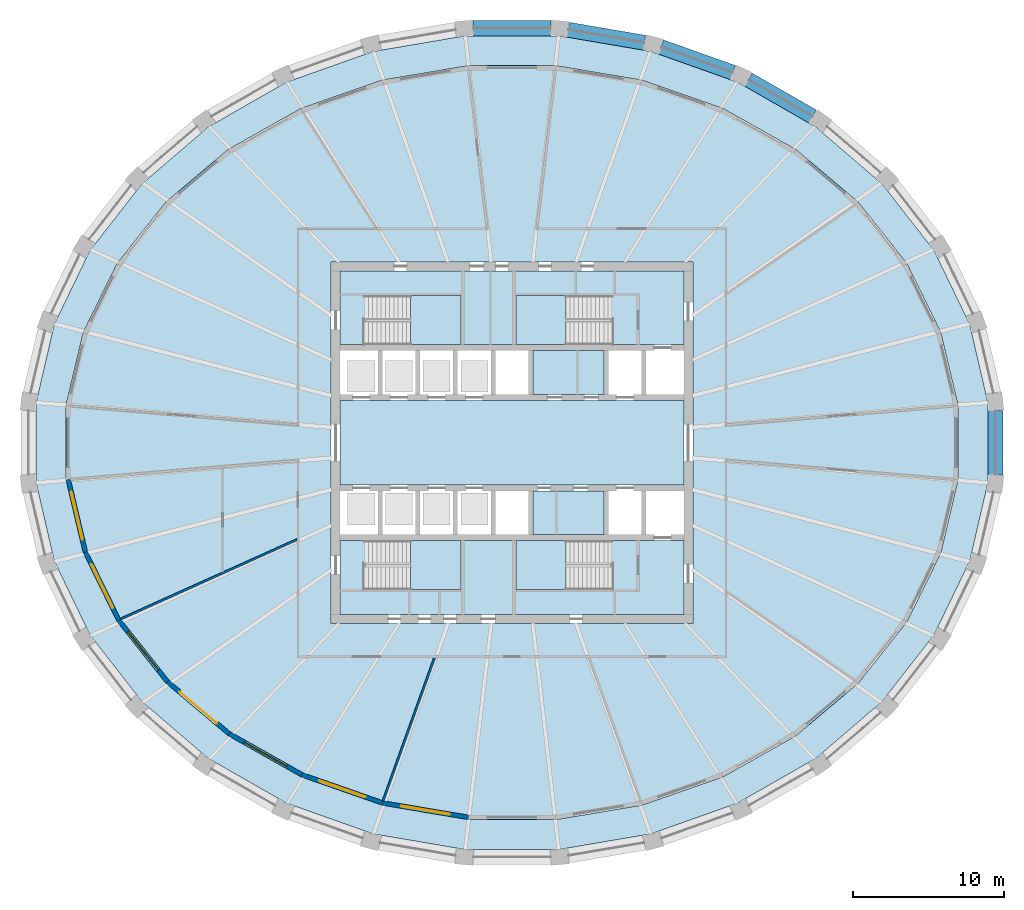
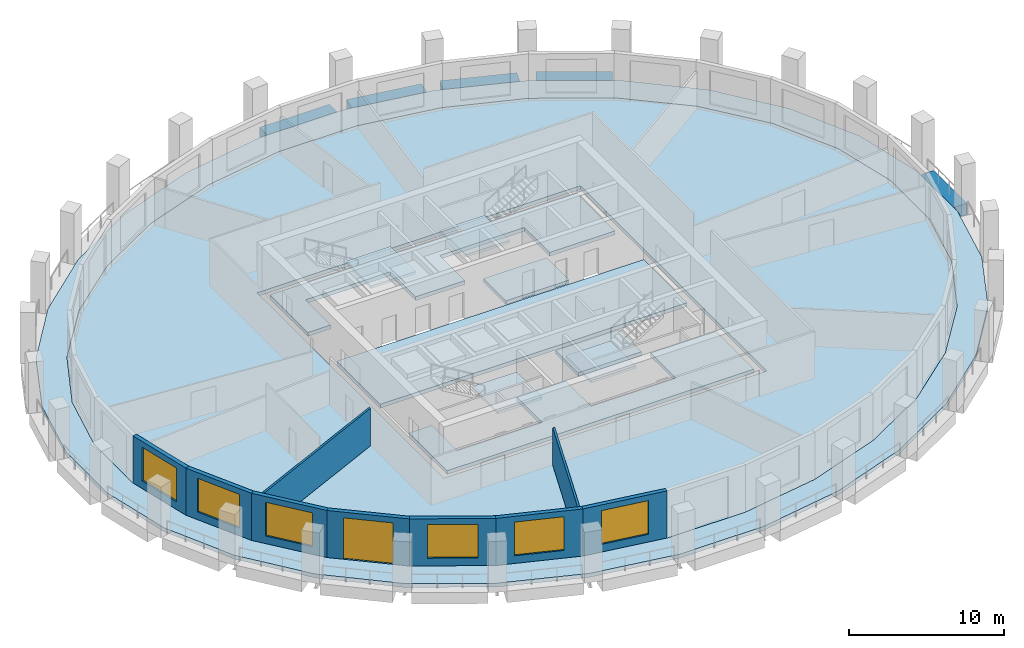
# One storey, part 2 of 10: 11 slabs, 9 walls, 6 windows, 5 beams, 1 door, 7 openings, 4 elements without a shape of their own.
"""IFC4 building model written with IfcOpenShell, lengths in metres."""

from ifc_helpers import new_model, si_unit, direction, frame, frame_2d, origin, origin_2d, place, context, subcontext, project, spatial, polyline, rectangle, outline, extrude, material, layer, layer_set, material_profile, profile_set, type_object, element, fill, aggregate, save


model = new_model("IFC4")

# Units and contexts
model_context = context("Model", 3, precision=1e-05, world=origin(), true_north=direction((0.0, 1.0)))
body_context = subcontext(model_context, "Body", "Model", "MODEL_VIEW")
ifc_project = project(units=[si_unit("LENGTHUNIT", "METRE"), si_unit("AREAUNIT", "SQUARE_METRE"), si_unit("VOLUMEUNIT", "CUBIC_METRE"), si_unit("PLANEANGLEUNIT", "RADIAN"), si_unit("MASSUNIT", "GRAM", prefix="KILO")], contexts=[model_context])

# Site, building, storey
site_placement = place(None, origin())
site = spatial("IfcSite", under=ifc_project, at=site_placement, CompositionType="ELEMENT")
building_placement = place(site_placement, origin())
building = spatial("IfcBuilding", under=site, at=building_placement, Name="Halqa Exchange Tower", CompositionType="ELEMENT")
storey_placement = place(building_placement, frame((0.0, 0.0, 206.89990234375)))
storey = spatial("IfcBuildingStorey", under=building, at=storey_placement, Name="L47", CompositionType="ELEMENT", Elevation=206.89990234375)

# Beams
ifc_material_1 = material(Name="Concrete C60/75", Category="concrete")
ifc_material_profile = material_profile(ifc_material_1, rectangle(XDim=1.0, YDim=0.89990234375, at=origin_2d()), Name="1000 x 900")
ifc_profile_set = profile_set([ifc_material_profile], Name="Concrete C60/75")
beam_type = type_object("IfcBeamType", Name="RC spandrel beam 1000 x 900 C60/75", PredefinedType="SPANDREL", material=ifc_profile_set)
beam_1_placement = place(storey_placement, frame((19.951416015625, 21.6455078125, -0.449951171875), z_axis=(-0.867758828844, 0.496985527921, 0.0), x_axis=(-0.496985527921, -0.867758828844, 0.0)))
element("IfcBeam", 1, at=beam_1_placement, inside=storey, type_object=beam_type, Name="Spandrel 5", PredefinedType="SPANDREL", context=body_context, shape_type="SweptSolid", body=[
    extrude(rectangle(XDim=1.0, YDim=0.89990234375, at=origin_2d()), origin(), (0.0, 0.0, 1.0), 4.905517578125),
])
beam_2_placement = place(storey_placement, frame((14.656005859375, 24.560546875, -0.449951171875), z_axis=(-0.942356423525, 0.334610775442, 0.0), x_axis=(-0.334610775442, -0.942356423525, 0.0)))
element("IfcBeam", 2, at=beam_2_placement, inside=storey, type_object=beam_type, Name="Spandrel 6", PredefinedType="SPANDREL", context=body_context, shape_type="SweptSolid", body=[
    extrude(rectangle(XDim=1.0, YDim=0.89990234375, at=origin_2d()), origin(), (0.0, 0.0, 1.0), 5.047607421875),
])
beam_3_placement = place(storey_placement, frame((8.7919921875, 26.5380859375, -0.449951171875), z_axis=(-0.985769464363, 0.168102834982, 0.0), x_axis=(-0.168102834982, -0.985769464363, 0.0)))
element("IfcBeam", 3, at=beam_3_placement, inside=storey, type_object=beam_type, Name="Spandrel 7", PredefinedType="SPANDREL", context=body_context, shape_type="SweptSolid", body=[
    extrude(rectangle(XDim=1.0, YDim=0.89990234375, at=origin_2d()), origin(), (0.0, 0.0, 1.0), 5.139892578125),
])
beam_4_placement = place(storey_placement, frame((2.586181640625, 27.498291015625, -0.449951171875), z_axis=(-1.0, 0.0, 0.0), x_axis=(0.0, -1.0, 0.0)))
element("IfcBeam", 4, at=beam_4_placement, inside=storey, type_object=beam_type, Name="Spandrel 8", PredefinedType="SPANDREL", context=body_context, shape_type="SweptSolid", body=[
    extrude(rectangle(XDim=1.0, YDim=0.89990234375, at=origin_2d()), origin(), (0.0, 0.0, 1.0), 5.17236328125),
])
beam_5_placement = place(storey_placement, frame((32.08154296875, -2.131591796875, -0.449951171875), z_axis=(0.0, 1.0, 0.0), x_axis=(-1.0, 0.0, 0.0)))
element("IfcBeam", 5, at=beam_5_placement, inside=storey, type_object=beam_type, Name="Spandrel 32", PredefinedType="SPANDREL", context=body_context, shape_type="SweptSolid", body=[
    extrude(rectangle(XDim=1.0, YDim=0.89990234375, at=origin_2d()), origin(), (0.0, 0.0, 1.0), 4.26318359375),
])

# Slabs
ifc_layer_1 = layer(ifc_material_1, 0.300048828125)
ifc_layer_set_1 = layer_set([ifc_layer_1], Name="Concrete C60/75")
slab_type_1 = type_object("IfcSlabType", Name="Core floor slab 300", PredefinedType="FLOOR", material=ifc_layer_set_1)
slab_1_placement = place(storey_placement, frame((0.0, 0.0, -0.2998046875)))
element("IfcSlab", 6, at=slab_1_placement, inside=storey, type_object=slab_type_1, Name="Core floor slab", PredefinedType="FLOOR", context=body_context, shape_type="SweptSolid", body=[
    extrude(outline(polyline([(-11.39990234375, 2.800048828125), (11.39990234375, 2.800048828125), (11.39990234375, -2.800048828125), (-11.39990234375, -2.800048828125), (-11.39990234375, 2.800048828125)])), origin(), (0.0, 0.0, 1.0), 0.2998046875),
])
slab_2_placement = place(storey_placement, frame((0.0, 0.0, -0.2998046875)))
element("IfcSlab", 7, at=slab_2_placement, inside=storey, type_object=slab_type_1, Name="Core floor slab", PredefinedType="FLOOR", context=body_context, shape_type="SweptSolid", body=[
    extrude(outline(polyline([(-11.39990234375, 11.39990234375), (11.39990234375, 11.39990234375), (11.39990234375, 6.5), (6.550048828125, 6.5), (6.550048828125, 9.75), (0.25, 9.75), (0.25, 6.5), (-3.39990234375, 6.5), (-3.39990234375, 9.75), (-9.699951171875, 9.75), (-9.699951171875, 6.5), (-11.39990234375, 6.5), (-11.39990234375, 11.39990234375)])), origin(), (0.0, 0.0, 1.0), 0.2998046875),
])
slab_3_placement = place(storey_placement, frame((0.0, 0.0, -0.2998046875)))
element("IfcSlab", 8, at=slab_3_placement, inside=storey, type_object=slab_type_1, Name="Core floor slab", PredefinedType="FLOOR", context=body_context, shape_type="SweptSolid", body=[
    extrude(outline(polyline([(-9.699951171875, -9.75), (-3.39990234375, -9.75), (-3.39990234375, -6.5), (0.25, -6.5), (0.25, -9.75), (6.550048828125, -9.75), (6.550048828125, -6.5), (11.39990234375, -6.5), (11.39990234375, -11.39990234375), (-11.39990234375, -11.39990234375), (-11.39990234375, -6.5), (-9.699951171875, -6.5), (-9.699951171875, -9.75)])), origin(), (0.0, 0.0, 1.0), 0.2998046875),
])
slab_4_placement = place(storey_placement, frame((0.0, 0.0, -0.2998046875)))
element("IfcSlab", 9, at=slab_4_placement, inside=storey, type_object=slab_type_1, Name="Core floor slab", PredefinedType="FLOOR", context=body_context, shape_type="SweptSolid", body=[
    extrude(outline(polyline([(6.10009765625, -3.199951171875), (6.10009765625, -6.10009765625), (1.39990234375, -6.10009765625), (1.39990234375, -3.199951171875), (6.10009765625, -3.199951171875)])), origin(), (0.0, 0.0, 1.0), 0.2998046875),
])
slab_5_placement = place(storey_placement, frame((0.0, 0.0, -0.2998046875)))
element("IfcSlab", 10, at=slab_5_placement, inside=storey, type_object=slab_type_1, Name="Core floor slab", PredefinedType="FLOOR", context=body_context, shape_type="SweptSolid", body=[
    extrude(outline(polyline([(6.10009765625, 6.10009765625), (6.10009765625, 3.199951171875), (1.39990234375, 3.199951171875), (1.39990234375, 6.10009765625), (6.10009765625, 6.10009765625)])), origin(), (0.0, 0.0, 1.0), 0.2998046875),
])
ifc_material_2 = material(Name="Concrete C40/50", Category="concrete")
ifc_layer_2 = layer(ifc_material_2, 0.300048828125)
ifc_layer_set_2 = layer_set([ifc_layer_2], Name="Concrete C40/50")
slab_type_2 = type_object("IfcSlabType", Name="RC floor slab 300", PredefinedType="FLOOR", material=ifc_layer_set_2)
slab_6_placement = place(storey_placement, frame((0.0, 0.0, -0.2998046875)))
element("IfcSlab", 11, at=slab_6_placement, inside=storey, type_object=slab_type_2, Name="Floor slab", PredefinedType="FLOOR", context=body_context, shape_type="SweptSolid", body=[
    extrude(outline(polyline([(29.59521484375, 2.46875), (28.45361328125, 7.31005859375), (26.216064453125, 11.86669921875), (22.971435546875, 15.962890625), (18.846435546875, 19.4423828125), (14.00048828125, 22.173828125), (8.619873046875, 24.053955078125), (2.910400390625, 25.011962890625), (-2.910400390625, 25.011962890625), (-8.619873046875, 24.053955078125), (-14.00048828125, 22.173828125), (-18.846435546875, 19.4423828125), (-22.971435546875, 15.962890625), (-26.216064453125, 11.86669921875), (-28.45361328125, 7.31005859375), (-29.59521484375, 2.46875), (-29.59521484375, -2.46875), (-28.45361328125, -7.31005859375), (-26.216064453125, -11.86669921875), (-22.971435546875, -15.962890625), (-18.846435546875, -19.4423828125), (-14.00048828125, -22.173828125), (-8.619873046875, -24.053955078125), (-2.910400390625, -25.011962890625), (2.910400390625, -25.011962890625), (8.619873046875, -24.053955078125), (14.00048828125, -22.173828125), (18.846435546875, -19.4423828125), (22.971435546875, -15.962890625), (26.216064453125, -11.86669921875), (28.45361328125, -7.31005859375), (29.59521484375, -2.46875), (29.59521484375, 2.46875)]), holes=[polyline([(-12.0, -12.0), (12.0, -12.0), (12.0, 12.0), (-12.0, 12.0), (-12.0, -12.0)])]), origin(), (0.0, 0.0, 1.0), 0.2998046875),
])
ifc_layer_3 = layer(ifc_material_2, 0.300048828125)
ifc_layer_set_3 = layer_set([ifc_layer_3], Name="Concrete C40/50")
slab_type_3 = type_object("IfcSlabType", Name="RC loggia slab 300", PredefinedType="FLOOR", material=ifc_layer_set_3)
slab_7_placement = place(storey_placement, frame((0.0, 0.0, -0.2998046875)))
element("IfcSlab", 12, at=slab_7_placement, inside=storey, type_object=slab_type_3, Name="Loggia slab", PredefinedType="FLOOR", context=body_context, shape_type="SweptSolid", body=[
    extrude(outline(polyline([(31.58154296875, 2.651123046875), (31.58154296875, -2.651123046875), (30.374267578125, -7.853759765625), (28.00341796875, -12.760009765625), (24.555908203125, -17.18212890625), (20.161376953125, -20.948974609375), (14.98681640625, -23.91259765625), (9.231201171875, -25.9560546875), (3.117431640625, -26.998291015625), (-3.117431640625, -26.998291015625), (-9.231201171875, -25.9560546875), (-14.98681640625, -23.91259765625), (-20.161376953125, -20.948974609375), (-24.555908203125, -17.18212890625), (-28.00341796875, -12.760009765625), (-30.374267578125, -7.853759765625), (-31.58154296875, -2.651123046875), (-31.58154296875, 2.651123046875), (-30.374267578125, 7.853759765625), (-28.00341796875, 12.760009765625), (-24.555908203125, 17.18212890625), (-20.161376953125, 20.948974609375), (-14.98681640625, 23.91259765625), (-9.231201171875, 25.9560546875), (-3.117431640625, 26.998291015625), (3.117431640625, 26.998291015625), (9.231201171875, 25.9560546875), (14.98681640625, 23.91259765625), (20.161376953125, 20.948974609375), (24.555908203125, 17.18212890625), (28.00341796875, 12.760009765625), (30.374267578125, 7.853759765625), (31.58154296875, 2.651123046875)]), holes=[polyline([(29.59521484375, 2.46875), (28.45361328125, 7.31005859375), (26.216064453125, 11.86669921875), (22.971435546875, 15.962890625), (18.846435546875, 19.4423828125), (14.00048828125, 22.173828125), (8.619873046875, 24.053955078125), (2.910400390625, 25.011962890625), (-2.910400390625, 25.011962890625), (-8.619873046875, 24.053955078125), (-14.00048828125, 22.173828125), (-18.846435546875, 19.4423828125), (-22.971435546875, 15.962890625), (-26.216064453125, 11.86669921875), (-28.45361328125, 7.31005859375), (-29.59521484375, 2.46875), (-29.59521484375, -2.46875), (-28.45361328125, -7.31005859375), (-26.216064453125, -11.86669921875), (-22.971435546875, -15.962890625), (-18.846435546875, -19.4423828125), (-14.00048828125, -22.173828125), (-8.619873046875, -24.053955078125), (-2.910400390625, -25.011962890625), (2.910400390625, -25.011962890625), (8.619873046875, -24.053955078125), (14.00048828125, -22.173828125), (18.846435546875, -19.4423828125), (22.971435546875, -15.962890625), (26.216064453125, -11.86669921875), (28.45361328125, -7.31005859375), (29.59521484375, -2.46875), (29.59521484375, 2.46875)])]), origin(), (0.0, 0.0, 1.0), 0.2998046875),
])

# Stair, slab
ifc_material_3 = material(Name="Concrete C30/37", Category="concrete")
stair_type = type_object("IfcStairType", Name="Exit stair 1500 wide", PredefinedType="HALF_TURN_STAIR", material=ifc_material_3)
stair_1_placement = place(storey_placement, origin())
stair_1 = element("IfcStair", 13, at=stair_1_placement, inside=storey, type_object=stair_type, Name="Exit stair ST1", PredefinedType="HALF_TURN_STAIR")
ifc_layer_4 = layer(ifc_material_3, 0.199951171875)
ifc_layer_set_4 = layer_set([ifc_layer_4], Name="Concrete C30/37")
slab_type_4 = type_object("IfcSlabType", Name="Stair landing 200 slab", PredefinedType="LANDING", material=ifc_layer_set_4)
slab_8_placement = place(storey_placement, frame((0.0, 0.0, 1.800048828125)))
slab_8 = element("IfcSlab", 14, at=slab_8_placement, type_object=slab_type_4, Name="ST1 landing 1", PredefinedType="LANDING", context=body_context, shape_type="SweptSolid", body=[
    extrude(outline(polyline([(-6.719970703125, 6.5), (-3.39990234375, 6.5), (-3.39990234375, 9.75), (-6.719970703125, 9.75), (-6.719970703125, 6.5)])), origin(), (0.0, 0.0, 1.0), 0.199951171875),
])
aggregate(stair_1, [slab_8])

stair_2_placement = place(storey_placement, origin())
stair_2 = element("IfcStair", 15, at=stair_2_placement, inside=storey, type_object=stair_type, Name="Exit stair ST2", PredefinedType="HALF_TURN_STAIR")
slab_9_placement = place(storey_placement, frame((0.0, 0.0, 1.800048828125)))
slab_9 = element("IfcSlab", 16, at=slab_9_placement, type_object=slab_type_4, Name="ST2 landing 1", PredefinedType="LANDING", context=body_context, shape_type="SweptSolid", body=[
    extrude(outline(polyline([(0.25, 6.5), (3.570068359375, 6.5), (3.570068359375, 9.75), (0.25, 9.75), (0.25, 6.5)])), origin(), (0.0, 0.0, 1.0), 0.199951171875),
])
aggregate(stair_2, [slab_9])

stair_3_placement = place(storey_placement, origin())
stair_3 = element("IfcStair", 17, at=stair_3_placement, inside=storey, type_object=stair_type, Name="Exit stair ST3", PredefinedType="HALF_TURN_STAIR")
slab_10_placement = place(storey_placement, frame((0.0, 0.0, 1.800048828125)))
slab_10 = element("IfcSlab", 18, at=slab_10_placement, type_object=slab_type_4, Name="ST3 landing 1", PredefinedType="LANDING", context=body_context, shape_type="SweptSolid", body=[
    extrude(outline(polyline([(-6.719970703125, -9.75), (-3.39990234375, -9.75), (-3.39990234375, -6.5), (-6.719970703125, -6.5), (-6.719970703125, -9.75)])), origin(), (0.0, 0.0, 1.0), 0.199951171875),
])
aggregate(stair_3, [slab_10])

stair_4_placement = place(storey_placement, origin())
stair_4 = element("IfcStair", 19, at=stair_4_placement, inside=storey, type_object=stair_type, Name="Exit stair ST4", PredefinedType="HALF_TURN_STAIR")
slab_11_placement = place(storey_placement, frame((0.0, 0.0, 1.800048828125)))
slab_11 = element("IfcSlab", 20, at=slab_11_placement, type_object=slab_type_4, Name="ST4 landing 1", PredefinedType="LANDING", context=body_context, shape_type="SweptSolid", body=[
    extrude(outline(polyline([(0.25, -9.75), (3.570068359375, -9.75), (3.570068359375, -6.5), (0.25, -6.5), (0.25, -9.75)])), origin(), (0.0, 0.0, 1.0), 0.199951171875),
])
aggregate(stair_4, [slab_11])

# Walls
ifc_material_4 = material(Name="Fire-rated gypsum board")
ifc_layer_5 = layer(ifc_material_4, 0.14990234375)
ifc_layer_set_5 = layer_set([ifc_layer_5], Name="Fire-rated gypsum board")
wall_type_1 = type_object("IfcWallType", Name="Fire partition EI 60 150", PredefinedType="PARTITIONING", material=ifc_layer_set_5)
wall_1_placement = place(storey_placement, frame((-25.96337890625, -11.705078125, 0.0), z_axis=(0.0, 0.0, 1.0), x_axis=(0.911586477794, 0.41110837197, 0.0)))
element("IfcWall", 21, at=wall_1_placement, inside=storey, type_object=wall_type_1, Name="L47-PWL-003", PredefinedType="PARTITIONING", context=body_context, shape_type="SweptSolid", body=[
    extrude(outline(polyline([(0.0205078125, -0.074951171875), (1.844482421875, -0.074951171875), (3.66845703125, -0.074951171875), (5.492431640625, -0.074951171875), (7.31640625, -0.074951171875), (9.140380859375, -0.074951171875), (10.96435546875, -0.074951171875), (12.788330078125, -0.074951171875), (12.855712890625, 0.074951171875), (11.0732421875, 0.074951171875), (9.29052734375, 0.074951171875), (7.508056640625, 0.074951171875), (7.507080078125, 0.07275390625), (7.502197265625, 0.074951171875), (5.626708984375, 0.074951171875), (3.751220703125, 0.074951171875), (1.87548828125, 0.074951171875), (0.0, 0.074951171875), (0.0, 0.06201171875), (0.002197265625, -0.00146484375), (0.0205078125, -0.074951171875)])), origin(), (0.0, 0.0, 1.0), 2.947021484375),
])
wall_2_placement = place(storey_placement, frame((-5.1279296875, -14.25, 0.0), z_axis=(0.0, 0.0, 1.0), x_axis=(-0.338529589418, -0.940955746615, 0.0)))
element("IfcWall", 22, at=wall_2_placement, inside=storey, type_object=wall_type_1, Name="L47-PWL-011", PredefinedType="PARTITIONING", context=body_context, shape_type="SweptSolid", body=[
    extrude(outline(polyline([(10.108154296875, -0.074951171875), (10.108154296875, -0.07177734375), (10.107421875, 0.0048828125), (10.0947265625, 0.074951171875), (8.412353515625, 0.074951171875), (6.729736328125, 0.074951171875), (5.04736328125, 0.074951171875), (3.364990234375, 0.074951171875), (1.682373046875, 0.074951171875), (0.0, 0.074951171875), (0.0, 0.07373046875), (0.053466796875, -0.074951171875), (1.729248046875, -0.074951171875), (3.405029296875, -0.074951171875), (5.080810546875, -0.074951171875), (6.756591796875, -0.074951171875), (8.432373046875, -0.074951171875), (10.108154296875, -0.074951171875)])), origin(), (0.0, 0.0, 1.0), 2.947021484375),
])

# Wall, opening, window
ifc_material_5 = material(Name="Limestone cladding", Category="masonry")
ifc_layer_6 = layer(ifc_material_5, 0.0400390625)
ifc_material_6 = material(Name="Ventilated cavity")
ifc_layer_7 = layer(ifc_material_6, 0.030029296875, ventilated=True)
ifc_material_7 = material(Name="Mineral wool insulation")
ifc_layer_8 = layer(ifc_material_7, 0.10009765625)
ifc_layer_9 = layer(ifc_material_3, 0.10009765625)
ifc_material_8 = material(Name="Internal plaster")
ifc_layer_10 = layer(ifc_material_8, 0.030029296875)
ifc_layer_set_6 = layer_set([ifc_layer_6, ifc_layer_7, ifc_layer_8, ifc_layer_9, ifc_layer_10], Name="Stone-faced insulated wall 300")
wall_type_2 = type_object("IfcWallType", Name="Stone-faced insulated wall 300", PredefinedType="STANDARD", material=ifc_layer_set_6)
wall_3_placement = place(storey_placement, frame((-29.445068359375, -2.451416015625, 0.0), z_axis=(0.0, 0.0, 1.0), x_axis=(0.229535186351, -0.973300363828, 0.0)))
wall_3 = element("IfcWall", 23, at=wall_3_placement, inside=storey, type_object=wall_type_2, Name="Glass-line wall 17", PredefinedType="STANDARD", context=body_context, shape_type="SweptSolid", body=[
    extrude(outline(polyline([(-0.017333984375, -0.14990234375), (4.956298828125, -0.14990234375), (4.922607421875, 0.14990234375), (0.017333984375, 0.14990234375), (-0.017333984375, -0.14990234375)])), origin(), (0.0, 0.0, 1.0), 3.7001953125),
])
opening_1_placement = place(wall_3_placement, frame((0.8447265625, 0.0, 0.60009765625)))
opening_1 = element("IfcOpeningElement", 24, at=opening_1_placement, cuts=wall_3, Name="Opening W-F3-17", PredefinedType="OPENING", context=body_context, shape_type="SweptSolid", body=[
    extrude(rectangle(XDim=3.25, YDim=2.64990234375, at=frame_2d((1.625, 1.324951171875))), frame((0.0, 0.162109375, 0.0), z_axis=(0.0, -1.0, 0.0), x_axis=(1.0, 0.0, 0.0)), (0.0, 0.0, 1.0), 0.323974609375),
])
ifc_material_9 = material(Name="Clear low-emissivity glass in aluminium frame", Category="aluminium")
window_type = type_object("IfcWindowType", Name="Fixed clear glazed window 3250 x 2650", PartitioningType="TRIPLE_PANEL_VERTICAL", PredefinedType="WINDOW", material=ifc_material_9)
window_1_placement = place(opening_1_placement, origin())
window_1 = element("IfcWindow", 25, at=window_1_placement, inside=storey, type_object=window_type, Name="Window 3", OverallHeight=2.64990234375, OverallWidth=3.25, PartitioningType="TRIPLE_PANEL_VERTICAL", PredefinedType="WINDOW", context=body_context, shape_type="SweptSolid", body=[
    extrude(rectangle(XDim=3.25, YDim=2.64990234375, at=frame_2d((1.625, 1.324951171875))), frame((0.0, 0.030029296875, 0.0), z_axis=(0.0, -1.0, 0.0), x_axis=(1.0, 0.0, 0.0)), (0.0, 0.0, 1.0), 0.06005859375),
])
fill(opening_1, window_1)

wall_4_placement = place(storey_placement, frame((-28.311279296875, -7.259033203125, 0.0), z_axis=(0.0, 0.0, 1.0), x_axis=(0.440773193145, -0.89761851151, 0.0)))
wall_4 = element("IfcWall", 26, at=wall_4_placement, inside=storey, type_object=wall_type_2, Name="Glass-line wall 18", PredefinedType="STANDARD", context=body_context, shape_type="SweptSolid", body=[
    extrude(outline(polyline([(-0.016845703125, -0.14990234375), (5.059326171875, -0.14990234375), (5.027099609375, 0.14990234375), (0.016845703125, 0.14990234375), (-0.016845703125, -0.14990234375)])), origin(), (0.0, 0.0, 1.0), 3.7001953125),
])
opening_2_placement = place(wall_4_placement, frame((0.896484375, 0.0, 0.60009765625)))
opening_2 = element("IfcOpeningElement", 27, at=opening_2_placement, cuts=wall_4, Name="Opening W-F3-18", PredefinedType="OPENING", context=body_context, shape_type="SweptSolid", body=[
    extrude(rectangle(XDim=3.25, YDim=2.64990234375, at=frame_2d((1.625, 1.324951171875))), frame((0.0, 0.162109375, 0.0), z_axis=(0.0, -1.0, 0.0), x_axis=(1.0, 0.0, 0.0)), (0.0, 0.0, 1.0), 0.323974609375),
])
window_2_placement = place(opening_2_placement, origin())
window_2 = element("IfcWindow", 28, at=window_2_placement, inside=storey, type_object=window_type, Name="Window 3", OverallHeight=2.64990234375, OverallWidth=3.25, PartitioningType="TRIPLE_PANEL_VERTICAL", PredefinedType="WINDOW", context=body_context, shape_type="SweptSolid", body=[
    extrude(rectangle(XDim=3.25, YDim=2.64990234375, at=frame_2d((1.625, 1.324951171875))), frame((0.0, 0.030029296875, 0.0), z_axis=(0.0, -1.0, 0.0), x_axis=(1.0, 0.0, 0.0)), (0.0, 0.0, 1.0), 0.06005859375),
])
fill(opening_2, window_2)

wall_5_placement = place(storey_placement, frame((-26.08837890625, -11.785888671875, 0.0), z_axis=(0.0, 0.0, 1.0), x_axis=(0.620870264345, -0.783913333763, 0.0)))
wall_5 = element("IfcWall", 29, at=wall_5_placement, inside=storey, type_object=wall_type_2, Name="Glass-line wall 19", PredefinedType="STANDARD", context=body_context, shape_type="SweptSolid", body=[
    extrude(outline(polyline([(-0.01611328125, -0.14990234375), (5.209716796875, -0.14990234375), (5.179443359375, 0.14990234375), (0.01611328125, 0.14990234375), (-0.01611328125, -0.14990234375)])), origin(), (0.0, 0.0, 1.0), 3.7001953125),
])
opening_3_placement = place(wall_5_placement, frame((0.97216796875, 0.0, 0.60009765625)))
opening_3 = element("IfcOpeningElement", 30, at=opening_3_placement, cuts=wall_5, Name="Opening W-F3-19", PredefinedType="OPENING", context=body_context, shape_type="SweptSolid", body=[
    extrude(rectangle(XDim=3.25, YDim=2.64990234375, at=frame_2d((1.625, 1.324951171875))), frame((0.0, 0.162109375, 0.0), z_axis=(0.0, -1.0, 0.0), x_axis=(1.0, 0.0, 0.0)), (0.0, 0.0, 1.0), 0.323974609375),
])
window_3_placement = place(opening_3_placement, origin())
window_3 = element("IfcWindow", 31, at=window_3_placement, inside=storey, type_object=window_type, Name="Window 3", OverallHeight=2.64990234375, OverallWidth=3.25, PartitioningType="TRIPLE_PANEL_VERTICAL", PredefinedType="WINDOW", context=body_context, shape_type="SweptSolid", body=[
    extrude(rectangle(XDim=3.25, YDim=2.64990234375, at=frame_2d((1.625, 1.324951171875))), frame((0.0, 0.030029296875, 0.0), z_axis=(0.0, -1.0, 0.0), x_axis=(1.0, 0.0, 0.0)), (0.0, 0.0, 1.0), 0.06005859375),
])
fill(opening_3, window_3)

# Wall, opening, door
wall_6_placement = place(storey_placement, frame((-22.86328125, -15.85791015625, 0.0), z_axis=(0.0, 0.0, 1.0), x_axis=(0.764386053229, -0.6447588399, 0.0)))
wall_6 = element("IfcWall", 32, at=wall_6_placement, inside=storey, type_object=wall_type_2, Name="Glass-line wall 20", PredefinedType="STANDARD", context=body_context, shape_type="SweptSolid", body=[
    extrude(outline(polyline([(-0.01513671875, -0.14990234375), (5.381591796875, -0.14990234375), (5.353271484375, 0.14990234375), (0.01513671875, 0.14990234375), (-0.01513671875, -0.14990234375)])), origin(), (0.0, 0.0, 1.0), 3.7001953125),
])
opening_4_placement = place(wall_6_placement, frame((1.058837890625, 0.0, 0.0)))
opening_4 = element("IfcOpeningElement", 33, at=opening_4_placement, cuts=wall_6, Name="Opening LG-F3-05", PredefinedType="OPENING", context=body_context, shape_type="SweptSolid", body=[
    extrude(rectangle(XDim=3.25, YDim=3.25, at=frame_2d((1.625, 1.625))), frame((0.0, 0.162109375, 0.0), z_axis=(0.0, -1.0, 0.0), x_axis=(1.0, 0.0, 0.0)), (0.0, 0.0, 1.0), 0.323974609375),
])
door_type = type_object("IfcDoorType", Name="Glazed sliding loggia door 3250 x 3250", OperationType="DOUBLE_DOOR_SLIDING", PredefinedType="DOOR", material=ifc_material_9)
door_placement = place(opening_4_placement, origin())
door = element("IfcDoor", 34, at=door_placement, inside=storey, type_object=door_type, Name="Loggia door 5", OperationType="DOUBLE_DOOR_SLIDING", OverallHeight=3.25, OverallWidth=3.25, PredefinedType="DOOR", context=body_context, shape_type="SweptSolid", body=[
    extrude(rectangle(XDim=3.25, YDim=3.25, at=frame_2d((1.625, 1.625))), frame((0.0, 0.02490234375, 0.0), z_axis=(0.0, -1.0, 0.0), x_axis=(1.0, 0.0, 0.0)), (0.0, 0.0, 1.0), 0.050048828125),
])
fill(opening_4, door)

# Wall, opening, window
wall_7_placement = place(storey_placement, frame((-18.760498046875, -19.318603515625, 0.0), z_axis=(0.0, 0.0, 1.0), x_axis=(0.871140546168, -0.491033755278, 0.0)))
wall_7 = element("IfcWall", 35, at=wall_7_placement, inside=storey, type_object=wall_type_2, Name="Glass-line wall 21", PredefinedType="STANDARD", context=body_context, shape_type="SweptSolid", body=[
    extrude(outline(polyline([(-0.01416015625, -0.14990234375), (5.548828125, -0.14990234375), (5.52197265625, 0.14990234375), (0.01416015625, 0.14990234375), (-0.01416015625, -0.14990234375)])), origin(), (0.0, 0.0, 1.0), 3.7001953125),
])
opening_5_placement = place(wall_7_placement, frame((1.142578125, 0.0, 0.60009765625)))
opening_5 = element("IfcOpeningElement", 36, at=opening_5_placement, cuts=wall_7, Name="Opening W-F3-21", PredefinedType="OPENING", context=body_context, shape_type="SweptSolid", body=[
    extrude(rectangle(XDim=3.25, YDim=2.64990234375, at=frame_2d((1.625, 1.324951171875))), frame((0.0, 0.162109375, 0.0), z_axis=(0.0, -1.0, 0.0), x_axis=(1.0, 0.0, 0.0)), (0.0, 0.0, 1.0), 0.323974609375),
])
window_4_placement = place(opening_5_placement, origin())
window_4 = element("IfcWindow", 37, at=window_4_placement, inside=storey, type_object=window_type, Name="Window 3", OverallHeight=2.64990234375, OverallWidth=3.25, PartitioningType="TRIPLE_PANEL_VERTICAL", PredefinedType="WINDOW", context=body_context, shape_type="SweptSolid", body=[
    extrude(rectangle(XDim=3.25, YDim=2.64990234375, at=frame_2d((1.625, 1.324951171875))), frame((0.0, 0.030029296875, 0.0), z_axis=(0.0, -1.0, 0.0), x_axis=(1.0, 0.0, 0.0)), (0.0, 0.0, 1.0), 0.06005859375),
])
fill(opening_5, window_4)

wall_8_placement = place(storey_placement, frame((-13.9384765625, -22.03662109375, 0.0), z_axis=(0.0, 0.0, 1.0), x_axis=(0.944023272224, -0.329878858824, 0.0)))
wall_8 = element("IfcWall", 38, at=wall_8_placement, inside=storey, type_object=wall_type_2, Name="Glass-line wall 22", PredefinedType="STANDARD", context=body_context, shape_type="SweptSolid", body=[
    extrude(outline(polyline([(-0.013427734375, -0.14990234375), (5.686279296875, -0.14990234375), (5.660888671875, 0.14990234375), (0.013427734375, 0.14990234375), (-0.013427734375, -0.14990234375)])), origin(), (0.0, 0.0, 1.0), 3.7001953125),
])
opening_6_placement = place(wall_8_placement, frame((1.2119140625, 0.0, 0.60009765625)))
opening_6 = element("IfcOpeningElement", 39, at=opening_6_placement, cuts=wall_8, Name="Opening W-F3-22", PredefinedType="OPENING", context=body_context, shape_type="SweptSolid", body=[
    extrude(rectangle(XDim=3.25, YDim=2.64990234375, at=frame_2d((1.625, 1.324951171875))), frame((0.0, 0.162109375, 0.0), z_axis=(0.0, -1.0, 0.0), x_axis=(1.0, 0.0, 0.0)), (0.0, 0.0, 1.0), 0.323974609375),
])
window_5_placement = place(opening_6_placement, origin())
window_5 = element("IfcWindow", 40, at=window_5_placement, inside=storey, type_object=window_type, Name="Window 3", OverallHeight=2.64990234375, OverallWidth=3.25, PartitioningType="TRIPLE_PANEL_VERTICAL", PredefinedType="WINDOW", context=body_context, shape_type="SweptSolid", body=[
    extrude(rectangle(XDim=3.25, YDim=2.64990234375, at=frame_2d((1.625, 1.324951171875))), frame((0.0, 0.030029296875, 0.0), z_axis=(0.0, -1.0, 0.0), x_axis=(1.0, 0.0, 0.0)), (0.0, 0.0, 1.0), 0.06005859375),
])
fill(opening_6, window_5)

wall_9_placement = place(storey_placement, frame((-8.58251953125, -23.908203125, 0.0), z_axis=(0.0, 0.0, 1.0), x_axis=(0.98622052717, -0.165436005116, 0.0)))
wall_9 = element("IfcWall", 41, at=wall_9_placement, inside=storey, type_object=wall_type_2, Name="Glass-line wall 23", PredefinedType="STANDARD", context=body_context, shape_type="SweptSolid", body=[
    extrude(outline(polyline([(-0.0126953125, -0.14990234375), (5.776611328125, -0.14990234375), (5.751708984375, 0.14990234375), (0.0126953125, 0.14990234375), (-0.0126953125, -0.14990234375)])), origin(), (0.0, 0.0, 1.0), 3.7001953125),
])
opening_7_placement = place(wall_9_placement, frame((1.257080078125, 0.0, 0.60009765625)))
opening_7 = element("IfcOpeningElement", 42, at=opening_7_placement, cuts=wall_9, Name="Opening W-F3-23", PredefinedType="OPENING", context=body_context, shape_type="SweptSolid", body=[
    extrude(rectangle(XDim=3.25, YDim=2.64990234375, at=frame_2d((1.625, 1.324951171875))), frame((0.0, 0.162109375, 0.0), z_axis=(0.0, -1.0, 0.0), x_axis=(1.0, 0.0, 0.0)), (0.0, 0.0, 1.0), 0.323974609375),
])
window_6_placement = place(opening_7_placement, origin())
window_6 = element("IfcWindow", 43, at=window_6_placement, inside=storey, type_object=window_type, Name="Window 3", OverallHeight=2.64990234375, OverallWidth=3.25, PartitioningType="TRIPLE_PANEL_VERTICAL", PredefinedType="WINDOW", context=body_context, shape_type="SweptSolid", body=[
    extrude(rectangle(XDim=3.25, YDim=2.64990234375, at=frame_2d((1.625, 1.324951171875))), frame((0.0, 0.030029296875, 0.0), z_axis=(0.0, -1.0, 0.0), x_axis=(1.0, 0.0, 0.0)), (0.0, 0.0, 1.0), 0.06005859375),
])
fill(opening_7, window_6)

save(model, "model.ifc")
